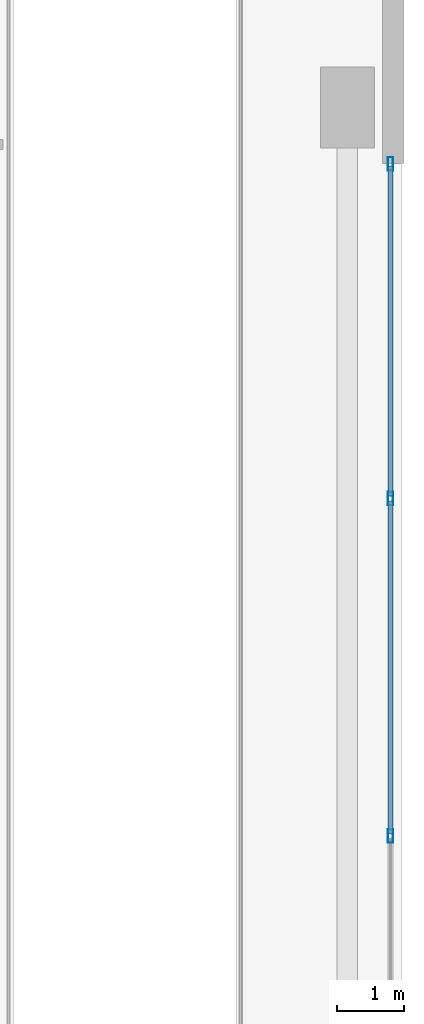
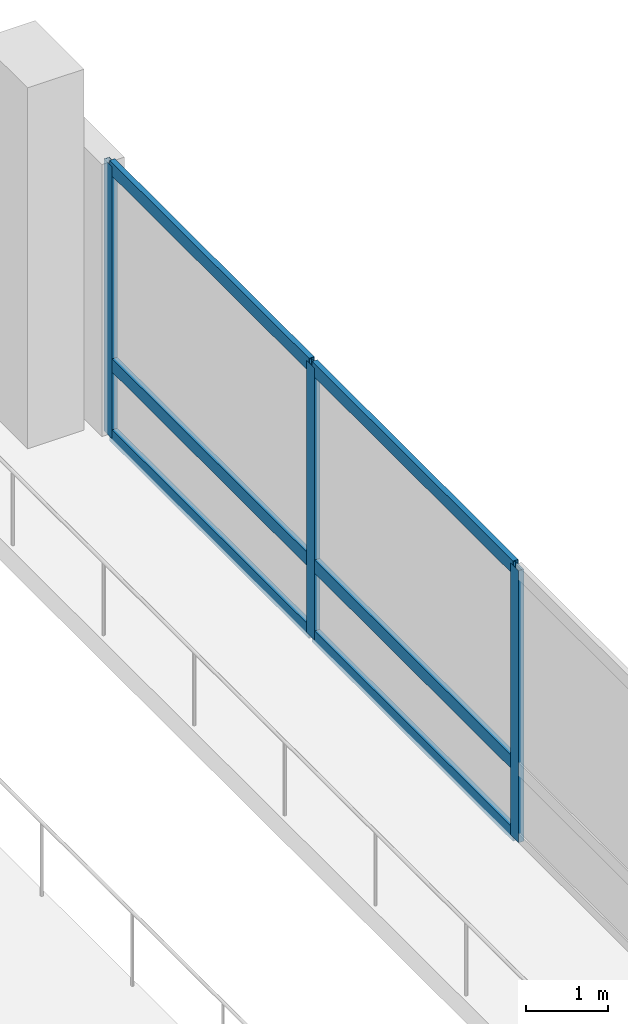
# One storey, part 14 of 26: 9 members, 1 element without a shape of its own.
"""IFC4 building model written with IfcOpenShell, lengths in metres."""

from ifc_helpers import new_model, si_unit, direction, frame, origin, origin_2d, place, context, subcontext, project, spatial, hollow_rectangle, extrude, material, layer, layer_set, material_profile, profile_set, type_object, element, aggregate, save


model = new_model("IFC4")

# Units and contexts
model_context = context("Model", 3, precision=1e-05, world=origin(), true_north=direction((0.0, 1.0)))
body_context = subcontext(model_context, "Body", "Model", "MODEL_VIEW")
ifc_project = project(units=[si_unit("LENGTHUNIT", "METRE"), si_unit("AREAUNIT", "SQUARE_METRE"), si_unit("VOLUMEUNIT", "CUBIC_METRE"), si_unit("PLANEANGLEUNIT", "RADIAN"), si_unit("MASSUNIT", "GRAM", prefix="KILO")], contexts=[model_context])

# Site, building, storey
site_placement = place(None, origin())
site = spatial("IfcSite", under=ifc_project, at=site_placement, CompositionType="ELEMENT")
building_placement = place(site_placement, origin())
building = spatial("IfcBuilding", under=site, at=building_placement, Name="Varnelok Gate Tower", CompositionType="ELEMENT")
storey_placement = place(building_placement, origin())
storey = spatial("IfcBuildingStorey", under=building, at=storey_placement, Name="L00", CompositionType="ELEMENT", Elevation=0.0)

# Curtain wall, members
ifc_material = material(Name="Anodized Aluminum Alloy 6063-T6", Category="aluminium")
ifc_layer = layer(ifc_material, 0.179931640625)
ifc_layer_set = layer_set([ifc_layer], Name="Anodized Aluminum Alloy 6063-T6")
curtain_wall_type = type_object("IfcCurtainWallType", Name="CW1-ARCH-PORTAL", PredefinedType="USERDEFINED", material=ifc_layer_set)
curtain_wall_placement = place(storey_placement, origin())
curtain_wall = element("IfcCurtainWall", 1, at=curtain_wall_placement, inside=storey, type_object=curtain_wall_type, Name="L00 Podium Portal Curtain Wall E", ObjectType="UNITISED CURTAIN WALL", PredefinedType="USERDEFINED")
ifc_material_profile_1 = material_profile(ifc_material, hollow_rectangle(XDim=0.074951171875, YDim=0.199951171875, WallThickness=0.00390625, at=origin_2d()), Name="ALU200X75X4")
ifc_profile_set_1 = profile_set([ifc_material_profile_1], Name="Anodized Aluminum Alloy 6063-T6")
member_type_1 = type_object("IfcMemberType", Name="CW-MULL-200", PredefinedType="MULLION", material=ifc_profile_set_1)
member_1_placement = place(storey_placement, frame((78.239990234375, 35.16259765625, 0.0), z_axis=(0.0, 0.0, 1.0), x_axis=(1.0, 0.0, 0.0)))
member_1 = element("IfcMember", 2, at=member_1_placement, type_object=member_type_1, Name="CW1 mullion 1", PredefinedType="MULLION", context=body_context, shape_type="SweptSolid", body=[
    extrude(hollow_rectangle(XDim=0.074951171875, YDim=0.199951171875, WallThickness=0.00390625, at=origin_2d()), origin(), (0.0, 0.0, 1.0), 4.070068359375),
])
member_2_placement = place(storey_placement, frame((78.239990234375, 30.199951171875, 0.0), z_axis=(0.0, 0.0, 1.0), x_axis=(1.0, 0.0, 0.0)))
member_2 = element("IfcMember", 3, at=member_2_placement, type_object=member_type_1, Name="CW1 mullion 2", PredefinedType="MULLION", context=body_context, shape_type="SweptSolid", body=[
    extrude(hollow_rectangle(XDim=0.074951171875, YDim=0.199951171875, WallThickness=0.00390625, at=origin_2d()), origin(), (0.0, 0.0, 1.0), 4.070068359375),
])
member_3_placement = place(storey_placement, frame((78.239990234375, 25.199951171875, 0.0), z_axis=(0.0, 0.0, 1.0), x_axis=(1.0, 0.0, 0.0)))
member_3 = element("IfcMember", 4, at=member_3_placement, type_object=member_type_1, Name="CW1 mullion 3", PredefinedType="MULLION", context=body_context, shape_type="SweptSolid", body=[
    extrude(hollow_rectangle(XDim=0.074951171875, YDim=0.199951171875, WallThickness=0.00390625, at=origin_2d()), origin(), (0.0, 0.0, 1.0), 4.070068359375),
])
ifc_material_profile_2 = material_profile(ifc_material, hollow_rectangle(XDim=0.074951171875, YDim=0.199951171875, WallThickness=0.00390625, at=origin_2d()), Name="ALU200X75X4")
ifc_profile_set_2 = profile_set([ifc_material_profile_2], Name="Anodized Aluminum Alloy 6063-T6")
member_type_2 = type_object("IfcMemberType", Name="CW-TRAN-200", PredefinedType="USERDEFINED", material=ifc_profile_set_2)
member_4_placement = place(storey_placement, frame((78.239990234375, 35.125, 0.03759765625), z_axis=(0.0, -1.0, 0.0), x_axis=(1.0, 0.0, 0.0)))
member_4 = element("IfcMember", 5, at=member_4_placement, type_object=member_type_2, Name="CW1 transom 1.1", ObjectType="TRANSOM", PredefinedType="USERDEFINED", context=body_context, shape_type="SweptSolid", body=[
    extrude(hollow_rectangle(XDim=0.074951171875, YDim=0.199951171875, WallThickness=0.00390625, at=origin_2d()), origin(), (0.0, 0.0, 1.0), 4.887451171875),
])
member_5_placement = place(storey_placement, frame((78.239990234375, 35.125, 1.10009765625), z_axis=(0.0, -1.0, 0.0), x_axis=(1.0, 0.0, 0.0)))
member_5 = element("IfcMember", 6, at=member_5_placement, type_object=member_type_2, Name="CW1 transom 1.2", ObjectType="TRANSOM", PredefinedType="USERDEFINED", context=body_context, shape_type="SweptSolid", body=[
    extrude(hollow_rectangle(XDim=0.074951171875, YDim=0.199951171875, WallThickness=0.00390625, at=origin_2d()), origin(), (0.0, 0.0, 1.0), 4.887451171875),
])
member_6_placement = place(storey_placement, frame((78.239990234375, 35.125, 4.032470703125), z_axis=(0.0, -1.0, 0.0), x_axis=(1.0, 0.0, 0.0)))
member_6 = element("IfcMember", 7, at=member_6_placement, type_object=member_type_2, Name="CW1 transom 1.3", ObjectType="TRANSOM", PredefinedType="USERDEFINED", context=body_context, shape_type="SweptSolid", body=[
    extrude(hollow_rectangle(XDim=0.074951171875, YDim=0.199951171875, WallThickness=0.00390625, at=origin_2d()), origin(), (0.0, 0.0, 1.0), 4.887451171875),
])
member_7_placement = place(storey_placement, frame((78.239990234375, 30.16259765625, 0.03759765625), z_axis=(0.0, -1.0, 0.0), x_axis=(1.0, 0.0, 0.0)))
member_7 = element("IfcMember", 8, at=member_7_placement, type_object=member_type_2, Name="CW1 transom 2.1", ObjectType="TRANSOM", PredefinedType="USERDEFINED", context=body_context, shape_type="SweptSolid", body=[
    extrude(hollow_rectangle(XDim=0.074951171875, YDim=0.199951171875, WallThickness=0.00390625, at=origin_2d()), origin(), (0.0, 0.0, 1.0), 4.925048828125),
])
member_8_placement = place(storey_placement, frame((78.239990234375, 30.16259765625, 1.10009765625), z_axis=(0.0, -1.0, 0.0), x_axis=(1.0, 0.0, 0.0)))
member_8 = element("IfcMember", 9, at=member_8_placement, type_object=member_type_2, Name="CW1 transom 2.2", ObjectType="TRANSOM", PredefinedType="USERDEFINED", context=body_context, shape_type="SweptSolid", body=[
    extrude(hollow_rectangle(XDim=0.074951171875, YDim=0.199951171875, WallThickness=0.00390625, at=origin_2d()), origin(), (0.0, 0.0, 1.0), 4.925048828125),
])
member_9_placement = place(storey_placement, frame((78.239990234375, 30.16259765625, 4.032470703125), z_axis=(0.0, -1.0, 0.0), x_axis=(1.0, 0.0, 0.0)))
member_9 = element("IfcMember", 10, at=member_9_placement, type_object=member_type_2, Name="CW1 transom 2.3", ObjectType="TRANSOM", PredefinedType="USERDEFINED", context=body_context, shape_type="SweptSolid", body=[
    extrude(hollow_rectangle(XDim=0.074951171875, YDim=0.199951171875, WallThickness=0.00390625, at=origin_2d()), origin(), (0.0, 0.0, 1.0), 4.925048828125),
])
aggregate(curtain_wall, [member_1, member_2, member_3, member_4, member_5, member_6, member_7, member_8, member_9])

save(model, "model.ifc")
